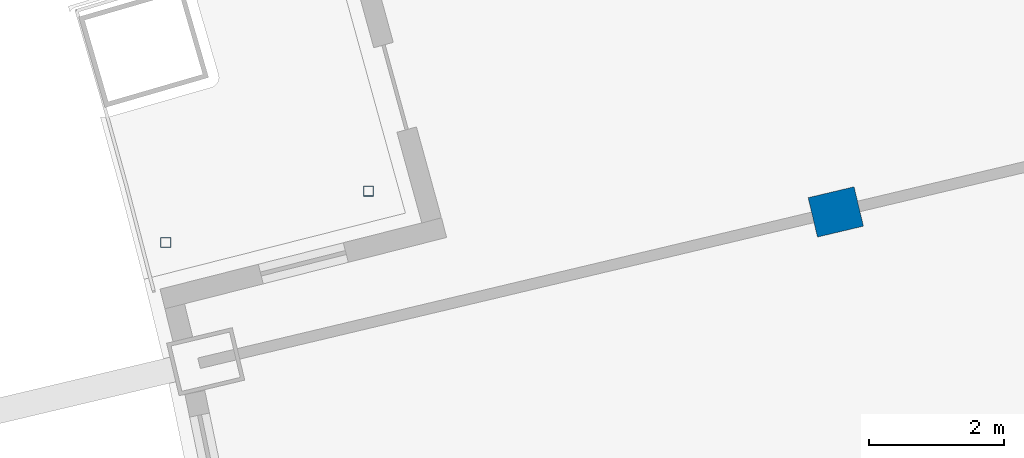
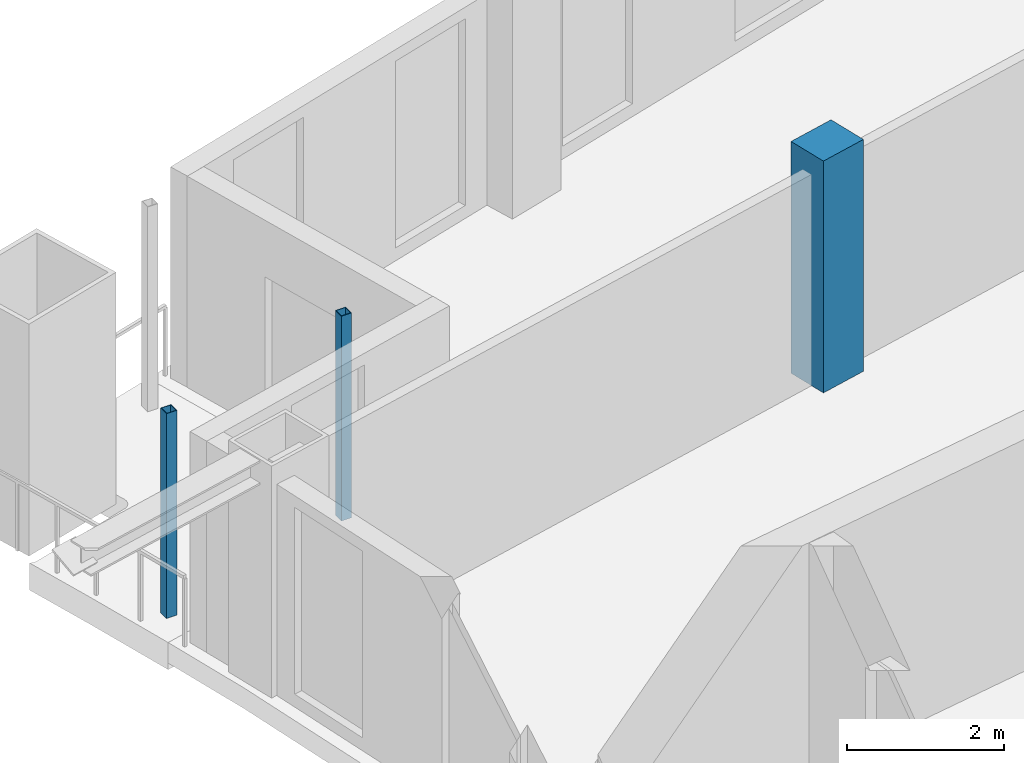
# One storey, part 3 of 17: 3 columns.
"""IFC4 building model written with IfcOpenShell, lengths in metres."""

from ifc_helpers import new_model, si_unit, direction, frame, origin, origin_2d, place, context, subcontext, project, spatial, rectangle, hollow_rectangle, extrude, material, material_profile, profile_set, type_object, element, save


model = new_model("IFC4")

# Units and contexts
model_context = context("Model", 3, precision=1e-05, world=origin(), true_north=direction((0.0, 1.0)))
body_context = subcontext(model_context, "Body", "Model", "MODEL_VIEW")
ifc_project = project(units=[si_unit("LENGTHUNIT", "METRE"), si_unit("AREAUNIT", "SQUARE_METRE"), si_unit("VOLUMEUNIT", "CUBIC_METRE"), si_unit("PLANEANGLEUNIT", "RADIAN"), si_unit("MASSUNIT", "GRAM", prefix="KILO")], contexts=[model_context])

# Site, building, storey
site_placement = place(None, origin())
site = spatial("IfcSite", under=ifc_project, at=site_placement, CompositionType="ELEMENT")
building_placement = place(site_placement, origin())
building = spatial("IfcBuilding", under=site, at=building_placement, Name="Alderwake Tower", CompositionType="ELEMENT")
storey_placement = place(building_placement, frame((0.0, 0.0, 274.39990234375)))
storey = spatial("IfcBuildingStorey", under=building, at=storey_placement, Name="L68", CompositionType="ELEMENT", Elevation=274.39990234375)

# Columns
ifc_material_1 = material(Name="Concrete C70/85", Category="concrete")
ifc_material_profile_1 = material_profile(ifc_material_1, rectangle(XDim=0.60009765625, YDim=0.699951171875, at=origin_2d()), Name="RC 700X600")
ifc_profile_set_1 = profile_set([ifc_material_profile_1], Name="Concrete C70/85")
column_type_1 = type_object("IfcColumnType", Name="Interior column Z5", PredefinedType="COLUMN", material=ifc_profile_set_1)
column_placement = place(storey_placement, frame((23.322021484375, 85.555908203125, 0.0), z_axis=(0.0, 0.0, 1.0), x_axis=(-0.231221547198, 0.972901123502, 0.0)))
element("IfcColumn", 1, at=column_placement, inside=storey, type_object=column_type_1, Name="Column R11-C1", PredefinedType="COLUMN", context=body_context, shape_type="SweptSolid", body=[
    extrude(rectangle(XDim=0.60009765625, YDim=0.699951171875, at=origin_2d()), origin(), (0.0, 0.0, 1.0), 3.60009765625),
])
ifc_material_2 = material(Name="Steel ASTM A500 Grade C", Category="steel")
ifc_material_profile_2 = material_profile(ifc_material_2, hollow_rectangle(XDim=0.15234375, YDim=0.15234375, WallThickness=0.0087890625, at=origin_2d()), Name="HSS6X6X3/8")
ifc_profile_set_2 = profile_set([ifc_material_profile_2], Name="Steel ASTM A500 Grade C")
column_type_2 = type_object("IfcColumnType", Name="Light post HSS6X6X3/8", PredefinedType="COLUMN", material=ifc_profile_set_2)
for number, where, z_axis, x_axis, name in (
    (2, (13.3896484375, 85.103515625, 0.0), (0.0, 0.0, 1.0), (1.0, 0.0, 0.0), "Terrace post RN1"),
    (3, (16.39501953125, 85.864013671875, 0.0), (0.0, 0.0, 1.0), (1.0, 0.0, 0.0), "Terrace post RN3"),
):
    element("IfcColumn", number, at=place(storey_placement, frame(where, z_axis=z_axis, x_axis=x_axis)), inside=storey, type_object=column_type_2, Name=name, PredefinedType="COLUMN", context=body_context, shape_type="SweptSolid", body=[
        extrude(hollow_rectangle(XDim=0.15234375, YDim=0.15234375, WallThickness=0.0087890625, at=origin_2d()), origin(), (0.0, 0.0, 1.0), 3.18017578125),
    ])

save(model, "model.ifc")
